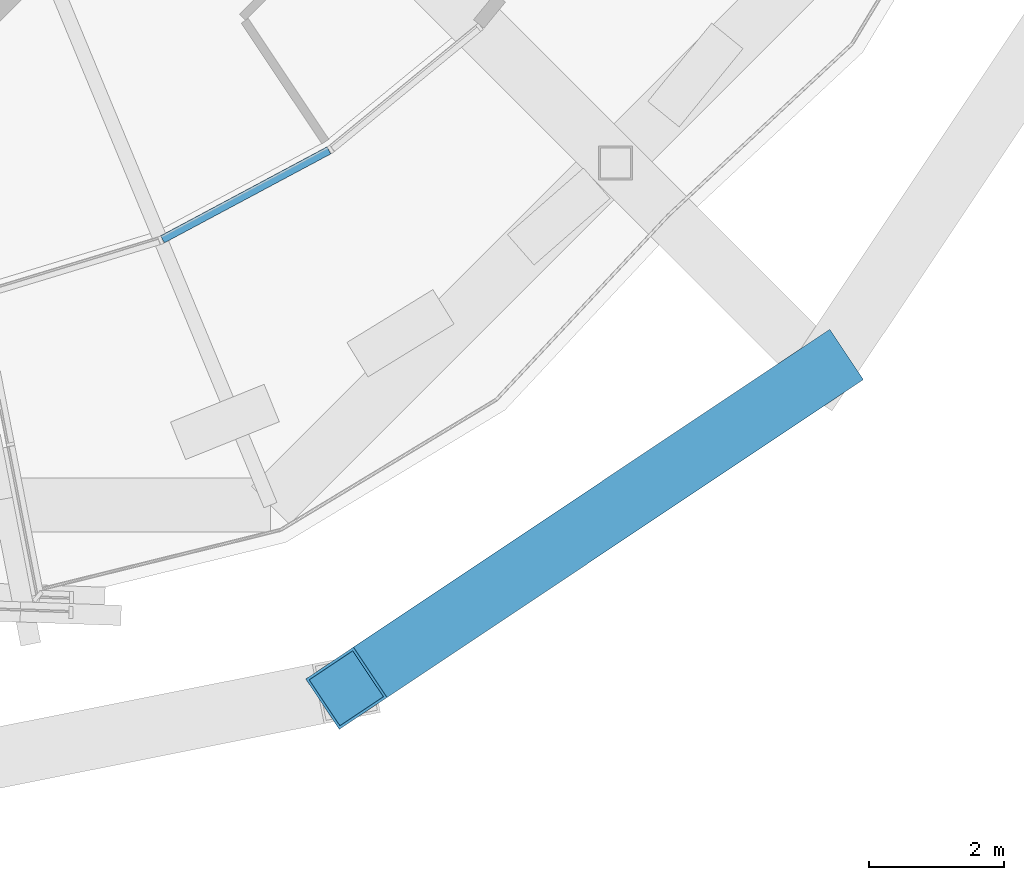
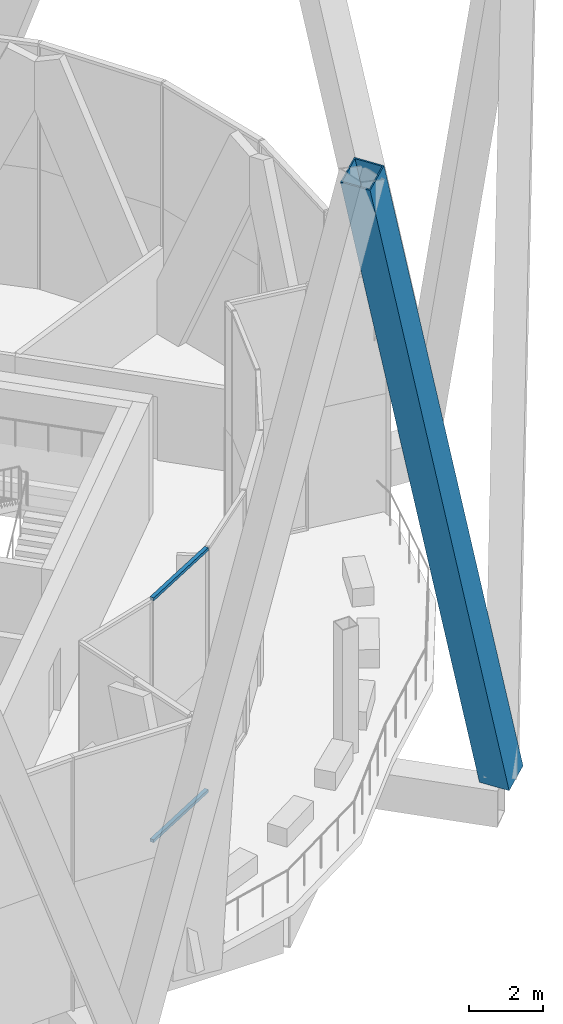
# One storey, part 17 of 38: 3 members, 1 element without a shape of its own.
"""IFC4 building model written with IfcOpenShell, lengths in metres."""

import ifcopenshell
import ifcopenshell.guid

model = None  # the IFC model being written
_history = None  # IfcOwnerHistory: only IFC2X3 demands one
_inside = {}  # id of a spatial element -> (the spatial element, [elements in it])
_under = {}  # id of a project, library or spatial element -> (it, [spatial elements below it])
_declared = {}  # id of a project -> (the project, [libraries it declares])
_typed = {}  # id of a type object -> (the type object, [elements of that type])
_made_of = {}  # id of a material, layer set ... -> (it, [elements and type objects made of it])


def new_model(schema):
    """Start an empty IFC model of exactly this schema.

    Asked for "IFC4X3", IfcOpenShell would pick the latest addendum, in which some entities
    have other attributes; the version numbers below select the first issue.
    IFC2X3 requires an IfcOwnerHistory on every rooted entity: one is made here for all.
    """
    global model, _history
    if schema == "IFC4X3":
        model = ifcopenshell.file(schema_version=(4, 3, 0, 0))
    else:
        model = ifcopenshell.file(schema=schema)
    _inside.clear()
    _under.clear()
    _declared.clear()
    _typed.clear()
    _made_of.clear()
    _history = None
    if model.schema == "IFC2X3":
        org = make("IfcOrganization", Name="unknown")
        user = make(
            "IfcPersonAndOrganization",
            ThePerson=make("IfcPerson", FamilyName="unknown"),
            TheOrganization=org,
        )
        app = make(
            "IfcApplication",
            ApplicationDeveloper=org,
            Version="unknown",
            ApplicationFullName="unknown",
            ApplicationIdentifier="unknown",
        )
        _history = make(
            "IfcOwnerHistory",
            OwningUser=user,
            OwningApplication=app,
            ChangeAction="ADDED",
            CreationDate=0,
        )
    return model


def make(cls, **values):
    """One entity of the class cls with the attributes given. An attribute that is None is left unset."""
    return model.create_entity(
        cls, **{name: value for name, value in values.items() if value is not None}
    )


def rooted(cls, **values):
    """An entity with a GlobalId (a new one), such as an element, a storey or a relation."""
    return make(cls, GlobalId=ifcopenshell.guid.new(), OwnerHistory=_history, **values)


def si_unit(unit_type, name, prefix=None):
    """IfcSIUnit, for example si_unit("LENGTHUNIT", "METRE", prefix="MILLI")."""
    return make("IfcSIUnit", UnitType=unit_type, Prefix=prefix, Name=name)


def assignment(units):
    """IfcUnitAssignment: the units of a project."""
    return None if units is None else make("IfcUnitAssignment", Units=units)


def point(xyz):
    """IfcCartesianPoint."""
    return None if xyz is None else make("IfcCartesianPoint", Coordinates=xyz)


def direction(xyz):
    """IfcDirection."""
    return None if xyz is None else make("IfcDirection", DirectionRatios=xyz)


def frame(location, z_axis=None, x_axis=None):
    """IfcAxis2Placement3D, a coordinate frame: its origin and axes. An axis left out is left unset."""
    return make(
        "IfcAxis2Placement3D",
        Location=point(location),
        Axis=direction(z_axis),
        RefDirection=direction(x_axis),
    )


def frame_2d(location, x_axis=None):
    """IfcAxis2Placement2D, a coordinate frame in the plane: its origin and x axis."""
    return make(
        "IfcAxis2Placement2D", Location=point(location), RefDirection=direction(x_axis)
    )


def origin():
    """The frame at (0, 0, 0) with its axes left unset."""
    return frame((0.0, 0.0, 0.0))


def origin_2d():
    """The frame at (0, 0) in the plane with its x axis left unset."""
    return frame_2d((0.0, 0.0))


def place(relative_to, where):
    """IfcLocalPlacement: puts the frame where relative to a parent placement (None: the world)."""
    return make(
        "IfcLocalPlacement", PlacementRelTo=relative_to, RelativePlacement=where
    )


def context(
    kind, dimensions, precision=None, world=None, true_north=None, identifier=None
):
    """IfcGeometricRepresentationContext, for example the 3D "Model" context."""
    return make(
        "IfcGeometricRepresentationContext",
        ContextIdentifier=identifier,
        ContextType=kind,
        CoordinateSpaceDimension=dimensions,
        Precision=precision,
        WorldCoordinateSystem=world,
        TrueNorth=true_north,
    )


def subcontext(parent, identifier, kind, view, scale=None):
    """IfcGeometricRepresentationSubContext, for example "Body" below "Model"."""
    return make(
        "IfcGeometricRepresentationSubContext",
        ContextIdentifier=identifier,
        ContextType=kind,
        ParentContext=parent,
        TargetScale=scale,
        TargetView=view,
    )


def project(units=None, contexts=None):
    """IfcProject with its units and contexts."""
    return rooted(
        "IfcProject",
        Name="project",
        RepresentationContexts=contexts,
        UnitsInContext=assignment(units),
    )


def spatial(cls, under=None, at=None, **own):
    """A site, building, storey or space (cls), placed at a placement, below another one or the project."""
    s = rooted(cls, ObjectPlacement=at, **own)
    if under is not None:
        _under.setdefault(under.id(), (under, []))[1].append(s)
    return s


def profile(cls, at=None, kind="AREA", **sizes):
    """A parametric profile (cls). Its sizes go by their IFC names, for example OverallWidth=200.0."""
    return make(cls, ProfileType=kind, Position=at, **sizes)


def rectangle(**sizes):
    """IfcRectangleProfileDef."""
    return profile("IfcRectangleProfileDef", **sizes)


def hollow_rectangle(**sizes):
    """IfcRectangleHollowProfileDef."""
    return profile("IfcRectangleHollowProfileDef", **sizes)


def extrude(swept, where, along, depth):
    """IfcExtrudedAreaSolid: the profile swept, set in the frame where, extruded along a direction by depth."""
    return make(
        "IfcExtrudedAreaSolid",
        SweptArea=swept,
        Position=where,
        ExtrudedDirection=direction(along),
        Depth=depth,
    )


def shape(context_of_items, identifier, shape_type, items):
    """IfcShapeRepresentation: the items that make up one representation, for example the "Body"."""
    return make(
        "IfcShapeRepresentation",
        ContextOfItems=context_of_items,
        RepresentationIdentifier=identifier,
        RepresentationType=shape_type,
        Items=items,
    )


def material(Name=None, Category=None):
    """IfcMaterial."""
    return make("IfcMaterial", Name=Name, Category=Category)


def material_profile(
    of_material, cross_section, Name=None, Category=None, Priority=None
):
    """IfcMaterialProfile: a cross section and its material."""
    return make(
        "IfcMaterialProfile",
        Name=Name,
        Material=of_material,
        Profile=cross_section,
        Priority=Priority,
        Category=Category,
    )


def profile_set(profiles, Name=None, composite=None):
    """IfcMaterialProfileSet."""
    return make(
        "IfcMaterialProfileSet",
        Name=Name,
        MaterialProfiles=profiles,
        CompositeProfile=composite,
    )


def made_of(thing, what):
    """Note that an element or type object is made of a material, layer set ...; save() writes the relation."""
    if what is not None:
        _made_of.setdefault(what.id(), (what, []))[1].append(thing)
    return thing


def type_object(cls, material=None, **own):
    """A type object (cls), such as IfcWallType, which elements share."""
    return made_of(rooted(cls, **own), material)


def element(
    cls,
    number,
    at=None,
    inside=None,
    cuts=None,
    type_object=None,
    material=None,
    context=None,
    identifier="Body",
    shape_type=None,
    held_by="IfcProductDefinitionShape",
    body=None,
    shapes=None,
    **own,
):
    """One element of the class cls, such as IfcWall. Its Tag is "e" and its number.

    at: its placement. inside: the storey or other place that contains it. cuts: it is an
    opening in that element (IfcRelVoidsElement). A single representation is given by context,
    identifier, shape_type and body (its items); several are given by shapes. held_by: the class
    of the entity that holds the representations. save() writes the other relations.
    """
    e = rooted(cls, Tag="e%d" % number, ObjectPlacement=at, **own)
    if body is not None:
        shapes = [shape(context, identifier, shape_type, body)]
    if shapes is not None:
        e.Representation = make(held_by, Representations=shapes)
    if inside is not None:
        _inside.setdefault(inside.id(), (inside, []))[1].append(e)
    if cuts is not None:
        rooted(
            "IfcRelVoidsElement", RelatingBuildingElement=cuts, RelatedOpeningElement=e
        )
    if type_object is not None:
        _typed.setdefault(type_object.id(), (type_object, []))[1].append(e)
    return made_of(e, material)


def aggregate(whole, parts):
    """IfcRelAggregates: a whole, such as a stair, and the parts it consists of."""
    return rooted("IfcRelAggregates", RelatingObject=whole, RelatedObjects=parts)


def save(model, path):
    """Write the relations noted so far, then the file.

    IfcRelAggregates (storeys below a building ...), IfcRelContainedInSpatialStructure (elements
    in a storey), IfcRelDefinesByType, IfcRelAssociatesMaterial and IfcRelDeclares: one each for
    every whole, place, type object, material and project.
    """
    for whole, parts in _under.values():
        aggregate(whole, parts)
    for where, things in _inside.values():
        rooted(
            "IfcRelContainedInSpatialStructure",
            RelatedElements=things,
            RelatingStructure=where,
        )
    for kind, things in _typed.values():
        rooted("IfcRelDefinesByType", RelatedObjects=things, RelatingType=kind)
    for what, things in _made_of.values():
        rooted("IfcRelAssociatesMaterial", RelatedObjects=things, RelatingMaterial=what)
    for by, libraries in _declared.values():
        rooted("IfcRelDeclares", RelatingContext=by, RelatedDefinitions=libraries)
    model.write(path)


model = new_model("IFC4")

# Units and contexts
model_context = context("Model", 3, precision=1e-05, world=origin(), true_north=direction((0.0, 1.0)))
body_context = subcontext(model_context, "Body", "Model", "MODEL_VIEW")
ifc_project = project(units=[si_unit("LENGTHUNIT", "METRE"), si_unit("AREAUNIT", "SQUARE_METRE"), si_unit("VOLUMEUNIT", "CUBIC_METRE"), si_unit("PLANEANGLEUNIT", "RADIAN"), si_unit("MASSUNIT", "GRAM", prefix="KILO")], contexts=[model_context])

# Site, building, storey
site_placement = place(None, origin())
site = spatial("IfcSite", under=ifc_project, at=site_placement, CompositionType="ELEMENT")
building_placement = place(site_placement, origin())
building = spatial("IfcBuilding", under=site, at=building_placement, Name="Ogive Gate Towers", CompositionType="ELEMENT")
storey_placement = place(building_placement, frame((0.0, 0.0, 268.800048828125)))
storey = spatial("IfcBuildingStorey", under=building, at=storey_placement, Name="L63", CompositionType="ELEMENT", Elevation=268.800048828125)

# Member
ifc_material_1 = material(Name="Steel SM460", Category="steel")
ifc_material_profile_1 = material_profile(ifc_material_1, hollow_rectangle(XDim=0.89990234375, YDim=0.89990234375, WallThickness=0.0400390625, at=origin_2d()), Name="BX 900x900x40")
ifc_profile_set_1 = profile_set([ifc_material_profile_1], Name="Steel SM460")
member_type_1 = type_object("IfcMemberType", Name="Diagrid diagonal BX 900x900x40", PredefinedType="BRACE", material=ifc_profile_set_1)
member_1_placement = place(storey_placement, frame((51.422119140625, -15.422119140625, 0.0), z_axis=(-0.266099402159, -0.177577062234, 0.947447885184), x_axis=(0.555084174574, -0.831794180755, 0.0)))
element("IfcMember", 1, at=member_1_placement, inside=storey, type_object=member_type_1, Name="T2/L63/SDG015", PredefinedType="BRACE", context=body_context, shape_type="SweptSolid", body=[
    extrude(hollow_rectangle(XDim=0.89990234375, YDim=0.89990234375, WallThickness=0.0400390625, at=origin_2d()), origin(), (0.0, 0.0, 1.0), 26.59765625),
])

# Curtain wall, members
ifc_material_2 = material(Name="Pale metal aluminium", Category="aluminium")
curtain_wall_type = type_object("IfcCurtainWallType", Name="Sky garden glazing", PredefinedType="NOTDEFINED", material=ifc_material_2)
curtain_wall_placement = place(storey_placement, origin())
curtain_wall = element("IfcCurtainWall", 2, at=curtain_wall_placement, inside=storey, type_object=curtain_wall_type, Name="CW4 T2 ECW01", PredefinedType="NOTDEFINED")
ifc_material_profile_2 = material_profile(ifc_material_2, rectangle(XDim=0.1201171875, YDim=0.10009765625, at=origin_2d()), Name="100 x 120 aluminium box")
ifc_profile_set_2 = profile_set([ifc_material_profile_2], Name="Pale metal aluminium")
member_type_2 = type_object("IfcMemberType", Name="Sky garden glazing transom 100 x 120", PredefinedType="USERDEFINED", material=ifc_profile_set_2)
member_2_placement = place(storey_placement, frame((44.086181640625, -12.15380859375, 8.050048828125), z_axis=(-0.881942900992, -0.471356255278, 0.0), x_axis=(0.471356255278, -0.881942900992, 0.0)))
member_2 = element("IfcMember", 3, at=member_2_placement, type_object=member_type_2, Name="CW4 transom", ObjectType="TRANSOM", PredefinedType="USERDEFINED", context=body_context, shape_type="SweptSolid", body=[
    extrude(rectangle(XDim=0.1201171875, YDim=0.10009765625, at=origin_2d()), origin(), (0.0, 0.0, 1.0), 2.80419921875),
])
member_3_placement = place(storey_placement, frame((44.086181640625, -12.15380859375, 0.050048828125), z_axis=(-0.881942900992, -0.471356255278, 0.0), x_axis=(0.471356255278, -0.881942900992, 0.0)))
member_3 = element("IfcMember", 4, at=member_3_placement, type_object=member_type_2, Name="CW4 transom", ObjectType="TRANSOM", PredefinedType="USERDEFINED", context=body_context, shape_type="SweptSolid", body=[
    extrude(rectangle(XDim=0.1201171875, YDim=0.10009765625, at=origin_2d()), origin(), (0.0, 0.0, 1.0), 2.80419921875),
])
aggregate(curtain_wall, [member_2, member_3])

save(model, "model.ifc")
